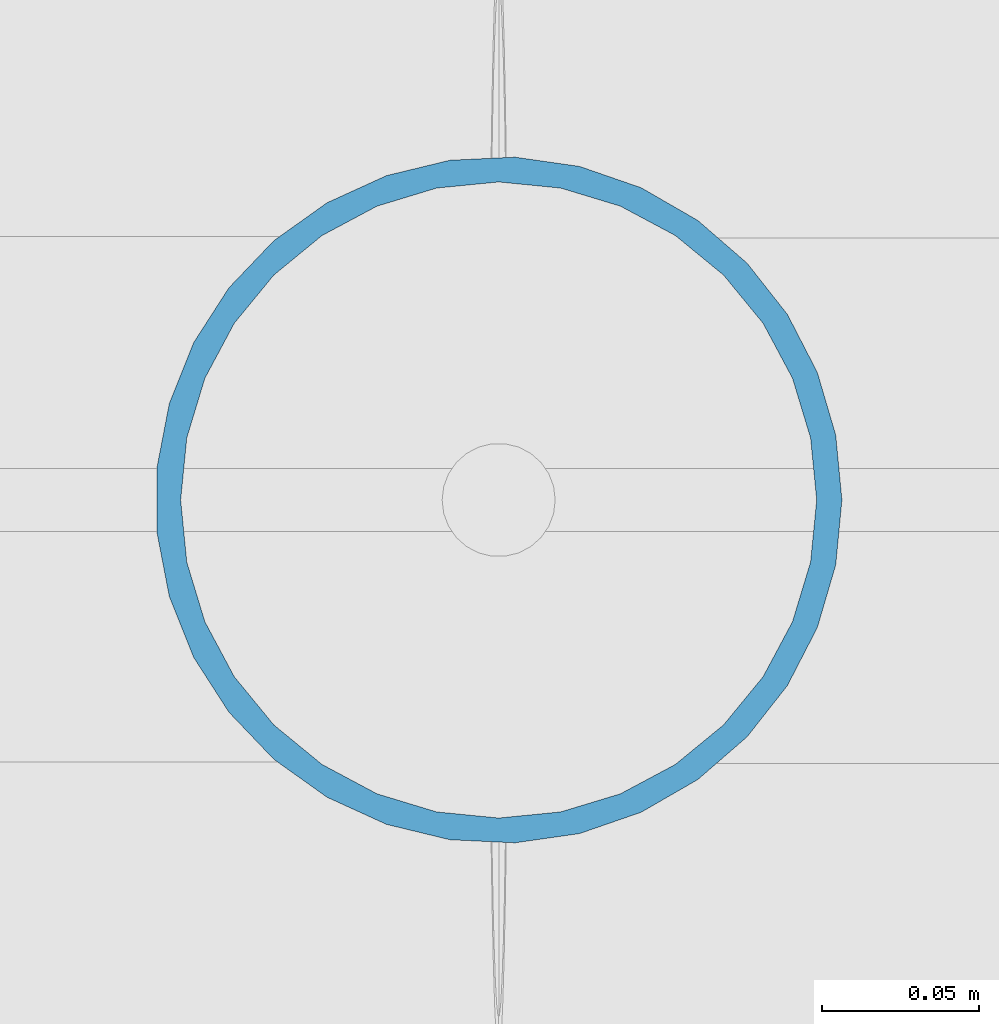
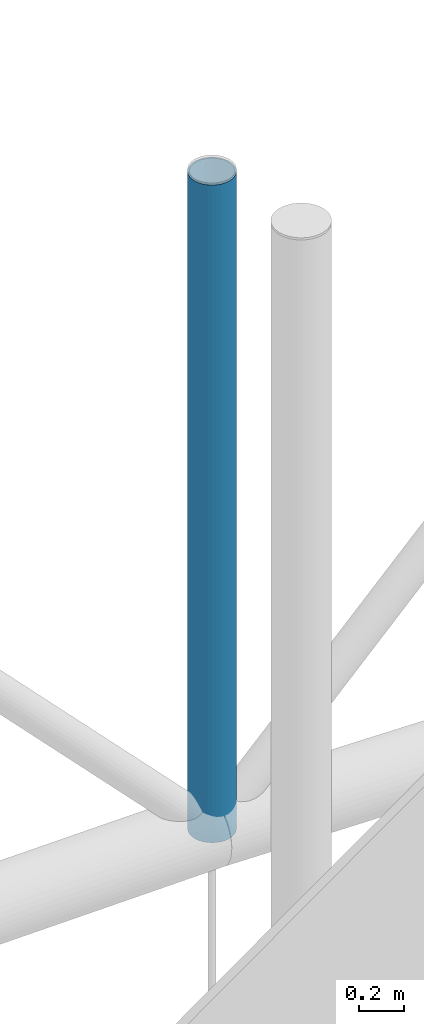
# One storey, part 180 of 321: 1 member.
"""IFC4 building model written with IfcOpenShell, lengths in metres."""

from ifc_helpers import new_model, si_unit, direction, frame, origin, origin_2d, place, context, subcontext, project, spatial, hollow_circle, extrude, material, material_profile, profile_set, type_object, element, save


model = new_model("IFC4")

# Units and contexts
model_context = context("Model", 3, precision=1e-05, world=origin(), true_north=direction((0.0, 1.0)))
body_context = subcontext(model_context, "Body", "Model", "MODEL_VIEW")
ifc_project = project(units=[si_unit("LENGTHUNIT", "METRE"), si_unit("AREAUNIT", "SQUARE_METRE"), si_unit("VOLUMEUNIT", "CUBIC_METRE"), si_unit("PLANEANGLEUNIT", "RADIAN"), si_unit("MASSUNIT", "GRAM", prefix="KILO")], contexts=[model_context])

# Site, building, storey
site_placement = place(None, origin())
site = spatial("IfcSite", under=ifc_project, at=site_placement, CompositionType="ELEMENT")
building_placement = place(site_placement, origin())
building = spatial("IfcBuilding", under=site, at=building_placement, Name="Ravi Spectrum Wholesale Market", CompositionType="ELEMENT")
storey_placement = place(building_placement, frame((0.0, 0.0, 10.800048828125)))
storey = spatial("IfcBuildingStorey", under=building, at=storey_placement, Name="L02", CompositionType="ELEMENT", Elevation=10.800048828125)

# Member
ifc_material = material(Name="Steel S355", Category="steel")
ifc_material_profile = material_profile(ifc_material, hollow_circle(Radius=0.109619140625, WallThickness=0.008056640625, at=origin_2d()))
ifc_profile_set = profile_set([ifc_material_profile], Name="Steel S355")
member_type = type_object("IfcMemberType", Name="CHS 219.1x8 post", PredefinedType="POST", material=ifc_profile_set)
member_placement = place(storey_placement, frame((70.0, 198.0, 8.39990234375), z_axis=(0.0, 0.0, -1.0), x_axis=(1.0, 0.0, 0.0)))
element("IfcMember", 1, at=member_placement, inside=storey, type_object=member_type, Name="H1-MB-L02-1194", PredefinedType="POST", context=body_context, shape_type="SweptSolid", body=[
    extrude(hollow_circle(Radius=0.109619140625, WallThickness=0.008056640625, at=origin_2d()), origin(), (0.0, 0.0, 1.0), 3.599853515625),
])

save(model, "model.ifc")
